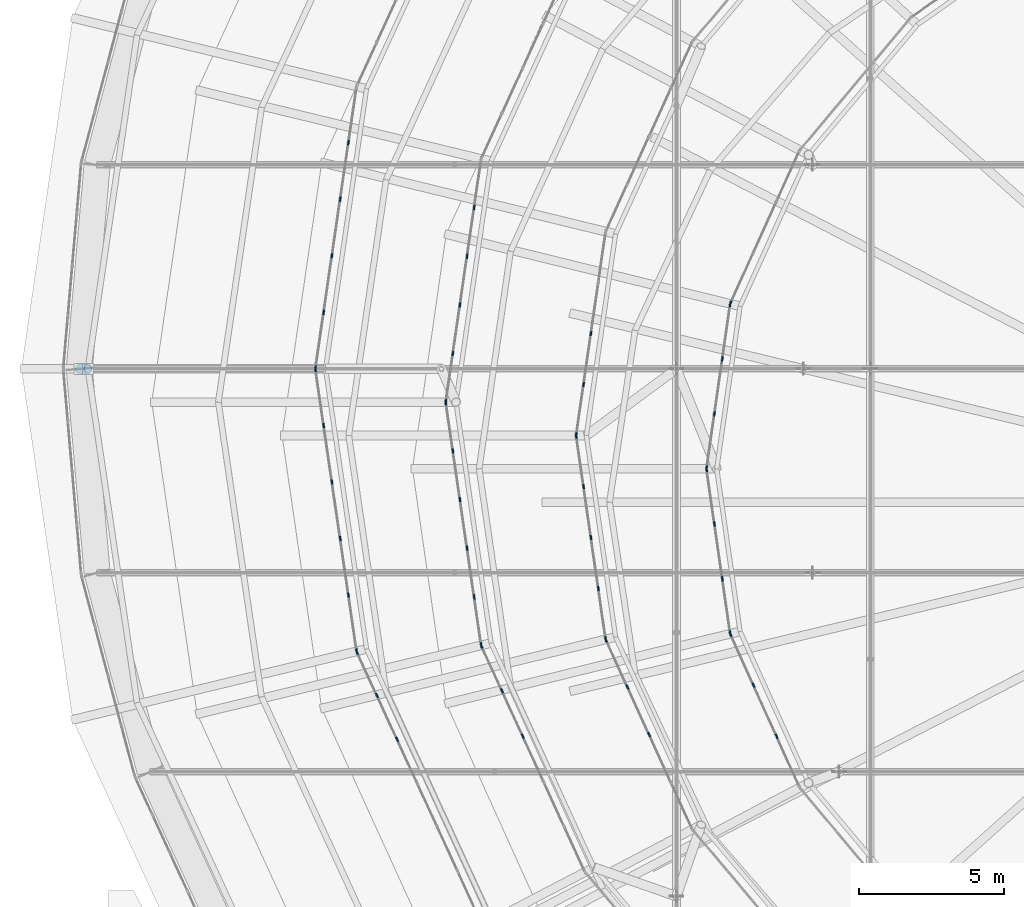
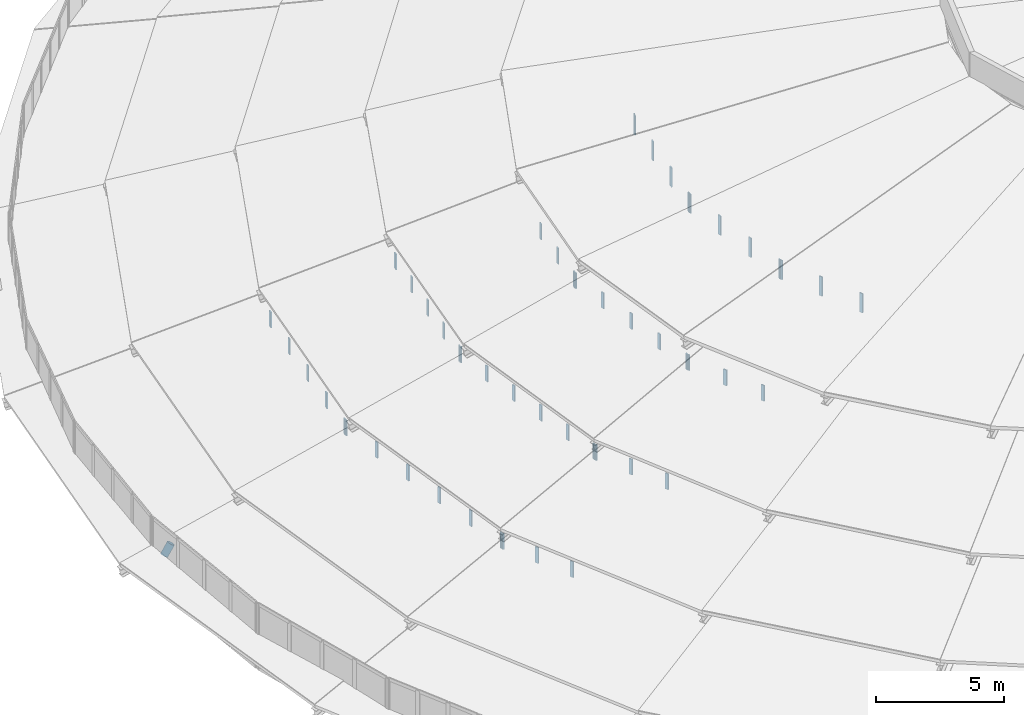
# One storey, part 129 of 173: 52 members, 13 elements without a shape of their own.
"""IFC4 building model written with IfcOpenShell, lengths in metres."""

import ifcopenshell
import ifcopenshell.guid

model = None  # the IFC model being written
_history = None  # IfcOwnerHistory: only IFC2X3 demands one
_inside = {}  # id of a spatial element -> (the spatial element, [elements in it])
_under = {}  # id of a project, library or spatial element -> (it, [spatial elements below it])
_declared = {}  # id of a project -> (the project, [libraries it declares])
_typed = {}  # id of a type object -> (the type object, [elements of that type])
_made_of = {}  # id of a material, layer set ... -> (it, [elements and type objects made of it])


def new_model(schema):
    """Start an empty IFC model of exactly this schema.

    Asked for "IFC4X3", IfcOpenShell would pick the latest addendum, in which some entities
    have other attributes; the version numbers below select the first issue.
    IFC2X3 requires an IfcOwnerHistory on every rooted entity: one is made here for all.
    """
    global model, _history
    if schema == "IFC4X3":
        model = ifcopenshell.file(schema_version=(4, 3, 0, 0))
    else:
        model = ifcopenshell.file(schema=schema)
    _inside.clear()
    _under.clear()
    _declared.clear()
    _typed.clear()
    _made_of.clear()
    _history = None
    if model.schema == "IFC2X3":
        org = make("IfcOrganization", Name="unknown")
        user = make(
            "IfcPersonAndOrganization",
            ThePerson=make("IfcPerson", FamilyName="unknown"),
            TheOrganization=org,
        )
        app = make(
            "IfcApplication",
            ApplicationDeveloper=org,
            Version="unknown",
            ApplicationFullName="unknown",
            ApplicationIdentifier="unknown",
        )
        _history = make(
            "IfcOwnerHistory",
            OwningUser=user,
            OwningApplication=app,
            ChangeAction="ADDED",
            CreationDate=0,
        )
    return model


def make(cls, **values):
    """One entity of the class cls with the attributes given. An attribute that is None is left unset."""
    return model.create_entity(
        cls, **{name: value for name, value in values.items() if value is not None}
    )


def rooted(cls, **values):
    """An entity with a GlobalId (a new one), such as an element, a storey or a relation."""
    return make(cls, GlobalId=ifcopenshell.guid.new(), OwnerHistory=_history, **values)


def si_unit(unit_type, name, prefix=None):
    """IfcSIUnit, for example si_unit("LENGTHUNIT", "METRE", prefix="MILLI")."""
    return make("IfcSIUnit", UnitType=unit_type, Prefix=prefix, Name=name)


def assignment(units):
    """IfcUnitAssignment: the units of a project."""
    return None if units is None else make("IfcUnitAssignment", Units=units)


def point(xyz):
    """IfcCartesianPoint."""
    return None if xyz is None else make("IfcCartesianPoint", Coordinates=xyz)


def direction(xyz):
    """IfcDirection."""
    return None if xyz is None else make("IfcDirection", DirectionRatios=xyz)


def frame(location, z_axis=None, x_axis=None):
    """IfcAxis2Placement3D, a coordinate frame: its origin and axes. An axis left out is left unset."""
    return make(
        "IfcAxis2Placement3D",
        Location=point(location),
        Axis=direction(z_axis),
        RefDirection=direction(x_axis),
    )


def frame_2d(location, x_axis=None):
    """IfcAxis2Placement2D, a coordinate frame in the plane: its origin and x axis."""
    return make(
        "IfcAxis2Placement2D", Location=point(location), RefDirection=direction(x_axis)
    )


def origin():
    """The frame at (0, 0, 0) with its axes left unset."""
    return frame((0.0, 0.0, 0.0))


def origin_2d():
    """The frame at (0, 0) in the plane with its x axis left unset."""
    return frame_2d((0.0, 0.0))


def place(relative_to, where):
    """IfcLocalPlacement: puts the frame where relative to a parent placement (None: the world)."""
    return make(
        "IfcLocalPlacement", PlacementRelTo=relative_to, RelativePlacement=where
    )


def context(
    kind, dimensions, precision=None, world=None, true_north=None, identifier=None
):
    """IfcGeometricRepresentationContext, for example the 3D "Model" context."""
    return make(
        "IfcGeometricRepresentationContext",
        ContextIdentifier=identifier,
        ContextType=kind,
        CoordinateSpaceDimension=dimensions,
        Precision=precision,
        WorldCoordinateSystem=world,
        TrueNorth=true_north,
    )


def subcontext(parent, identifier, kind, view, scale=None):
    """IfcGeometricRepresentationSubContext, for example "Body" below "Model"."""
    return make(
        "IfcGeometricRepresentationSubContext",
        ContextIdentifier=identifier,
        ContextType=kind,
        ParentContext=parent,
        TargetScale=scale,
        TargetView=view,
    )


def project(units=None, contexts=None):
    """IfcProject with its units and contexts."""
    return rooted(
        "IfcProject",
        Name="project",
        RepresentationContexts=contexts,
        UnitsInContext=assignment(units),
    )


def spatial(cls, under=None, at=None, **own):
    """A site, building, storey or space (cls), placed at a placement, below another one or the project."""
    s = rooted(cls, ObjectPlacement=at, **own)
    if under is not None:
        _under.setdefault(under.id(), (under, []))[1].append(s)
    return s


def profile(cls, at=None, kind="AREA", **sizes):
    """A parametric profile (cls). Its sizes go by their IFC names, for example OverallWidth=200.0."""
    return make(cls, ProfileType=kind, Position=at, **sizes)


def rectangle(**sizes):
    """IfcRectangleProfileDef."""
    return profile("IfcRectangleProfileDef", **sizes)


def hollow_circle(**sizes):
    """IfcCircleHollowProfileDef."""
    return profile("IfcCircleHollowProfileDef", **sizes)


def extrude(swept, where, along, depth):
    """IfcExtrudedAreaSolid: the profile swept, set in the frame where, extruded along a direction by depth."""
    return make(
        "IfcExtrudedAreaSolid",
        SweptArea=swept,
        Position=where,
        ExtrudedDirection=direction(along),
        Depth=depth,
    )


def shape(context_of_items, identifier, shape_type, items):
    """IfcShapeRepresentation: the items that make up one representation, for example the "Body"."""
    return make(
        "IfcShapeRepresentation",
        ContextOfItems=context_of_items,
        RepresentationIdentifier=identifier,
        RepresentationType=shape_type,
        Items=items,
    )


def material(Name=None, Category=None):
    """IfcMaterial."""
    return make("IfcMaterial", Name=Name, Category=Category)


def material_profile(
    of_material, cross_section, Name=None, Category=None, Priority=None
):
    """IfcMaterialProfile: a cross section and its material."""
    return make(
        "IfcMaterialProfile",
        Name=Name,
        Material=of_material,
        Profile=cross_section,
        Priority=Priority,
        Category=Category,
    )


def profile_set(profiles, Name=None, composite=None):
    """IfcMaterialProfileSet."""
    return make(
        "IfcMaterialProfileSet",
        Name=Name,
        MaterialProfiles=profiles,
        CompositeProfile=composite,
    )


def made_of(thing, what):
    """Note that an element or type object is made of a material, layer set ...; save() writes the relation."""
    if what is not None:
        _made_of.setdefault(what.id(), (what, []))[1].append(thing)
    return thing


def type_object(cls, material=None, **own):
    """A type object (cls), such as IfcWallType, which elements share."""
    return made_of(rooted(cls, **own), material)


def element(
    cls,
    number,
    at=None,
    inside=None,
    cuts=None,
    type_object=None,
    material=None,
    context=None,
    identifier="Body",
    shape_type=None,
    held_by="IfcProductDefinitionShape",
    body=None,
    shapes=None,
    **own,
):
    """One element of the class cls, such as IfcWall. Its Tag is "e" and its number.

    at: its placement. inside: the storey or other place that contains it. cuts: it is an
    opening in that element (IfcRelVoidsElement). A single representation is given by context,
    identifier, shape_type and body (its items); several are given by shapes. held_by: the class
    of the entity that holds the representations. save() writes the other relations.
    """
    e = rooted(cls, Tag="e%d" % number, ObjectPlacement=at, **own)
    if body is not None:
        shapes = [shape(context, identifier, shape_type, body)]
    if shapes is not None:
        e.Representation = make(held_by, Representations=shapes)
    if inside is not None:
        _inside.setdefault(inside.id(), (inside, []))[1].append(e)
    if cuts is not None:
        rooted(
            "IfcRelVoidsElement", RelatingBuildingElement=cuts, RelatedOpeningElement=e
        )
    if type_object is not None:
        _typed.setdefault(type_object.id(), (type_object, []))[1].append(e)
    return made_of(e, material)


def aggregate(whole, parts):
    """IfcRelAggregates: a whole, such as a stair, and the parts it consists of."""
    return rooted("IfcRelAggregates", RelatingObject=whole, RelatedObjects=parts)


def save(model, path):
    """Write the relations noted so far, then the file.

    IfcRelAggregates (storeys below a building ...), IfcRelContainedInSpatialStructure (elements
    in a storey), IfcRelDefinesByType, IfcRelAssociatesMaterial and IfcRelDeclares: one each for
    every whole, place, type object, material and project.
    """
    for whole, parts in _under.values():
        aggregate(whole, parts)
    for where, things in _inside.values():
        rooted(
            "IfcRelContainedInSpatialStructure",
            RelatedElements=things,
            RelatingStructure=where,
        )
    for kind, things in _typed.values():
        rooted("IfcRelDefinesByType", RelatedObjects=things, RelatingType=kind)
    for what, things in _made_of.values():
        rooted("IfcRelAssociatesMaterial", RelatedObjects=things, RelatingMaterial=what)
    for by, libraries in _declared.values():
        rooted("IfcRelDeclares", RelatingContext=by, RelatedDefinitions=libraries)
    model.write(path)


model = new_model("IFC4")

# Units and contexts
model_context = context("Model", 3, precision=1e-05, world=origin(), true_north=direction((0.0, 1.0)))
body_context = subcontext(model_context, "Body", "Model", "MODEL_VIEW")
ifc_project = project(units=[si_unit("LENGTHUNIT", "METRE"), si_unit("AREAUNIT", "SQUARE_METRE"), si_unit("VOLUMEUNIT", "CUBIC_METRE"), si_unit("PLANEANGLEUNIT", "RADIAN"), si_unit("MASSUNIT", "GRAM", prefix="KILO")], contexts=[model_context])

# Site, building, storey
site_placement = place(None, origin())
site = spatial("IfcSite", under=ifc_project, at=site_placement, CompositionType="ELEMENT")
building_placement = place(site_placement, origin())
building = spatial("IfcBuilding", under=site, at=building_placement, Name="Glasvene Arena", CompositionType="ELEMENT")
storey_placement = place(building_placement, frame((0.0, 0.0, 28.800048828125)))
storey = spatial("IfcBuildingStorey", under=building, at=storey_placement, Name="RF", CompositionType="ELEMENT", Elevation=28.800048828125)

# Curtain wall, members
ifc_material_1 = material(Name="Low-emissivity laminated double glazing", Category="glass")
curtain_wall_type_1 = type_object("IfcCurtainWallType", Name="CW-PET1-986x75", PredefinedType="USERDEFINED", material=ifc_material_1)
curtain_wall_1_placement = place(storey_placement, frame((51.575927734375, 82.757568359375, 0.0)))
curtain_wall_1 = element("IfcCurtainWall", 1, at=curtain_wall_1_placement, inside=storey, type_object=curtain_wall_type_1, Name="Petal ring 1-2 clerestory curtain wall 12", ObjectType="CURTAIN WALL", PredefinedType="USERDEFINED")
ifc_material_2 = material(Name="Anodised architectural aluminium", Category="aluminium")
ifc_material_profile_1 = material_profile(ifc_material_2, rectangle(XDim=0.050048828125, YDim=0.159912109375, at=origin_2d()), Name="ALU MULLION 50x160")
ifc_profile_set_1 = profile_set([ifc_material_profile_1], Name="Anodised architectural aluminium")
member_type_1 = type_object("IfcMemberType", Name="CW-MUL-150", PredefinedType="MULLION", material=ifc_profile_set_1)
member_1_placement = place(storey_placement, frame((51.290771484375, 80.805908203125, 2.579833984375), z_axis=(0.0, 0.0, 1.0), x_axis=(0.989489040641, -0.144607878249, 0.0)))
member_1 = element("IfcMember", 2, at=member_1_placement, type_object=member_type_1, Name="CW-081 mullion 2", PredefinedType="MULLION", context=body_context, shape_type="SweptSolid", body=[
    extrude(rectangle(XDim=0.050048828125, YDim=0.159912109375, at=origin_2d()), origin(), (0.0, 0.0, 1.0), 0.75),
])
member_2_placement = place(storey_placement, frame((51.005615234375, 78.8544921875, 2.579833984375), z_axis=(0.0, 0.0, 1.0), x_axis=(0.989489040641, -0.144607878249, 0.0)))
member_2 = element("IfcMember", 3, at=member_2_placement, type_object=member_type_1, Name="CW-081 mullion 3", PredefinedType="MULLION", context=body_context, shape_type="SweptSolid", body=[
    extrude(rectangle(XDim=0.050048828125, YDim=0.159912109375, at=origin_2d()), origin(), (0.0, 0.0, 1.0), 0.75),
])
member_3_placement = place(storey_placement, frame((50.720458984375, 76.903076171875, 2.579833984375), z_axis=(0.0, 0.0, 1.0), x_axis=(0.989489040641, -0.144607878249, 0.0)))
member_3 = element("IfcMember", 4, at=member_3_placement, type_object=member_type_1, Name="CW-081 mullion 4", PredefinedType="MULLION", context=body_context, shape_type="SweptSolid", body=[
    extrude(rectangle(XDim=0.050048828125, YDim=0.159912109375, at=origin_2d()), origin(), (0.0, 0.0, 1.0), 0.75),
])
member_4_placement = place(storey_placement, frame((50.435302734375, 74.951416015625, 2.579833984375), z_axis=(0.0, 0.0, 1.0), x_axis=(0.989489040641, -0.144607878249, 0.0)))
member_4 = element("IfcMember", 5, at=member_4_placement, type_object=member_type_1, Name="CW-081 mullion 5", PredefinedType="MULLION", context=body_context, shape_type="SweptSolid", body=[
    extrude(rectangle(XDim=0.050048828125, YDim=0.159912109375, at=origin_2d()), origin(), (0.0, 0.0, 1.0), 0.75),
])
member_5_placement = place(storey_placement, frame((50.153564453125, 73.024658203125, 2.579833984375), z_axis=(0.0, 0.0, 1.0), x_axis=(0.989489040641, -0.144607878249, 0.0)))
member_5 = element("IfcMember", 6, at=member_5_placement, type_object=member_type_1, Name="CW-081 mullion 6", PredefinedType="MULLION", context=body_context, shape_type="SweptSolid", body=[
    extrude(rectangle(XDim=0.050048828125, YDim=0.159912109375, at=origin_2d()), origin(), (0.0, 0.0, 1.0), 0.75),
])
aggregate(curtain_wall_1, [member_1, member_2, member_3, member_4, member_5])

curtain_wall_2_placement = place(storey_placement, frame((50.14990234375, 73.0, 0.0)))
curtain_wall_2 = element("IfcCurtainWall", 7, at=curtain_wall_2_placement, inside=storey, type_object=curtain_wall_type_1, Name="Petal ring 1-2 clerestory curtain wall 13", ObjectType="CURTAIN WALL", PredefinedType="USERDEFINED")
member_6_placement = place(storey_placement, frame((50.153564453125, 72.975341796875, 2.579833984375), z_axis=(0.0, 0.0, 1.0), x_axis=(0.989489040641, 0.144607878249, 0.0)))
member_6 = element("IfcMember", 8, at=member_6_placement, type_object=member_type_1, Name="CW-081 mullion 1", PredefinedType="MULLION", context=body_context, shape_type="SweptSolid", body=[
    extrude(rectangle(XDim=0.050048828125, YDim=0.159912109375, at=origin_2d()), origin(), (0.0, 0.0, 1.0), 0.75),
])
member_7_placement = place(storey_placement, frame((50.435302734375, 71.048583984375, 2.579833984375), z_axis=(0.0, 0.0, 1.0), x_axis=(0.989489040641, 0.144607878249, 0.0)))
member_7 = element("IfcMember", 9, at=member_7_placement, type_object=member_type_1, Name="CW-081 mullion 2", PredefinedType="MULLION", context=body_context, shape_type="SweptSolid", body=[
    extrude(rectangle(XDim=0.050048828125, YDim=0.159912109375, at=origin_2d()), origin(), (0.0, 0.0, 1.0), 0.75),
])
member_8_placement = place(storey_placement, frame((50.720458984375, 69.096923828125, 2.579833984375), z_axis=(0.0, 0.0, 1.0), x_axis=(0.989489040641, 0.144607878249, 0.0)))
member_8 = element("IfcMember", 10, at=member_8_placement, type_object=member_type_1, Name="CW-081 mullion 3", PredefinedType="MULLION", context=body_context, shape_type="SweptSolid", body=[
    extrude(rectangle(XDim=0.050048828125, YDim=0.159912109375, at=origin_2d()), origin(), (0.0, 0.0, 1.0), 0.75),
])
member_9_placement = place(storey_placement, frame((51.005615234375, 67.1455078125, 2.579833984375), z_axis=(0.0, 0.0, 1.0), x_axis=(0.989489040641, 0.144607878249, 0.0)))
member_9 = element("IfcMember", 11, at=member_9_placement, type_object=member_type_1, Name="CW-081 mullion 4", PredefinedType="MULLION", context=body_context, shape_type="SweptSolid", body=[
    extrude(rectangle(XDim=0.050048828125, YDim=0.159912109375, at=origin_2d()), origin(), (0.0, 0.0, 1.0), 0.75),
])
member_10_placement = place(storey_placement, frame((51.290771484375, 65.194091796875, 2.579833984375), z_axis=(0.0, 0.0, 1.0), x_axis=(0.989489040641, 0.144607878249, 0.0)))
member_10 = element("IfcMember", 12, at=member_10_placement, type_object=member_type_1, Name="CW-081 mullion 5", PredefinedType="MULLION", context=body_context, shape_type="SweptSolid", body=[
    extrude(rectangle(XDim=0.050048828125, YDim=0.159912109375, at=origin_2d()), origin(), (0.0, 0.0, 1.0), 0.75),
])
member_11_placement = place(storey_placement, frame((51.572265625, 63.267333984375, 2.579833984375), z_axis=(0.0, 0.0, 1.0), x_axis=(0.989489040641, 0.144607878249, 0.0)))
member_11 = element("IfcMember", 13, at=member_11_placement, type_object=member_type_1, Name="CW-081 mullion 6", PredefinedType="MULLION", context=body_context, shape_type="SweptSolid", body=[
    extrude(rectangle(XDim=0.050048828125, YDim=0.159912109375, at=origin_2d()), origin(), (0.0, 0.0, 1.0), 0.75),
])
aggregate(curtain_wall_2, [member_6, member_7, member_8, member_9, member_10, member_11])

curtain_wall_type_2 = type_object("IfcCurtainWallType", Name="CW-PET1-1001x75", PredefinedType="USERDEFINED", material=ifc_material_1)
curtain_wall_3_placement = place(storey_placement, frame((51.575927734375, 63.242431640625, 0.0)))
curtain_wall_3 = element("IfcCurtainWall", 14, at=curtain_wall_3_placement, inside=storey, type_object=curtain_wall_type_2, Name="Petal ring 1-2 clerestory curtain wall 14", ObjectType="CURTAIN WALL", PredefinedType="USERDEFINED")
member_12_placement = place(storey_placement, frame((51.58642578125, 63.2197265625, 2.579833984375), z_axis=(0.0, 0.0, 1.0), x_axis=(0.908556831634, 0.41776127596, 0.0)))
member_12 = element("IfcMember", 15, at=member_12_placement, type_object=member_type_1, Name="CW-082 mullion 1", PredefinedType="MULLION", context=body_context, shape_type="SweptSolid", body=[
    extrude(rectangle(XDim=0.050048828125, YDim=0.159912109375, at=origin_2d()), origin(), (0.0, 0.0, 1.0), 0.75),
])
member_13_placement = place(storey_placement, frame((52.272705078125, 61.72705078125, 2.579833984375), z_axis=(0.0, 0.0, 1.0), x_axis=(0.908556831634, 0.41776127596, 0.0)))
member_13 = element("IfcMember", 16, at=member_13_placement, type_object=member_type_1, Name="CW-082 mullion 2", PredefinedType="MULLION", context=body_context, shape_type="SweptSolid", body=[
    extrude(rectangle(XDim=0.050048828125, YDim=0.159912109375, at=origin_2d()), origin(), (0.0, 0.0, 1.0), 0.75),
])
member_14_placement = place(storey_placement, frame((52.969482421875, 60.211669921875, 2.579833984375), z_axis=(0.0, 0.0, 1.0), x_axis=(0.908556831634, 0.41776127596, 0.0)))
member_14 = element("IfcMember", 17, at=member_14_placement, type_object=member_type_1, Name="CW-082 mullion 3", PredefinedType="MULLION", context=body_context, shape_type="SweptSolid", body=[
    extrude(rectangle(XDim=0.050048828125, YDim=0.159912109375, at=origin_2d()), origin(), (0.0, 0.0, 1.0), 0.75),
])
aggregate(curtain_wall_3, [member_12, member_13, member_14])

curtain_wall_type_3 = type_object("IfcCurtainWallType", Name="CW-PET2-849x75", PredefinedType="USERDEFINED", material=ifc_material_1)
curtain_wall_4_placement = place(storey_placement, frame((55.873291015625, 80.248779296875, 0.0)))
curtain_wall_4 = element("IfcCurtainWall", 18, at=curtain_wall_4_placement, inside=storey, type_object=curtain_wall_type_3, Name="Petal ring 2-3 clerestory curtain wall 12", ObjectType="CURTAIN WALL", PredefinedType="USERDEFINED")
member_15_placement = place(storey_placement, frame((55.628662109375, 78.56884765625, 5.179931640625), z_axis=(0.0, 0.0, 1.0), x_axis=(0.98955837799, -0.144132635268, 0.0)))
member_15 = element("IfcMember", 19, at=member_15_placement, type_object=member_type_1, Name="CW-087 mullion 2", PredefinedType="MULLION", context=body_context, shape_type="SweptSolid", body=[
    extrude(rectangle(XDim=0.050048828125, YDim=0.159912109375, at=origin_2d()), origin(), (0.0, 0.0, 1.0), 0.75),
])
member_16_placement = place(storey_placement, frame((55.384033203125, 76.88916015625, 5.179931640625), z_axis=(0.0, 0.0, 1.0), x_axis=(0.98955837799, -0.144132635268, 0.0)))
member_16 = element("IfcMember", 20, at=member_16_placement, type_object=member_type_1, Name="CW-087 mullion 3", PredefinedType="MULLION", context=body_context, shape_type="SweptSolid", body=[
    extrude(rectangle(XDim=0.050048828125, YDim=0.159912109375, at=origin_2d()), origin(), (0.0, 0.0, 1.0), 0.75),
])
member_17_placement = place(storey_placement, frame((55.139404296875, 75.20947265625, 5.179931640625), z_axis=(0.0, 0.0, 1.0), x_axis=(0.98955837799, -0.144132635268, 0.0)))
member_17 = element("IfcMember", 21, at=member_17_placement, type_object=member_type_1, Name="CW-087 mullion 4", PredefinedType="MULLION", context=body_context, shape_type="SweptSolid", body=[
    extrude(rectangle(XDim=0.050048828125, YDim=0.159912109375, at=origin_2d()), origin(), (0.0, 0.0, 1.0), 0.75),
])
member_18_placement = place(storey_placement, frame((54.894775390625, 73.52978515625, 5.179931640625), z_axis=(0.0, 0.0, 1.0), x_axis=(0.98955837799, -0.144132635268, 0.0)))
member_18 = element("IfcMember", 22, at=member_18_placement, type_object=member_type_1, Name="CW-087 mullion 5", PredefinedType="MULLION", context=body_context, shape_type="SweptSolid", body=[
    extrude(rectangle(XDim=0.050048828125, YDim=0.159912109375, at=origin_2d()), origin(), (0.0, 0.0, 1.0), 0.75),
])
member_19_placement = place(storey_placement, frame((54.653564453125, 71.874755859375, 5.179931640625), z_axis=(0.0, 0.0, 1.0), x_axis=(0.98955837799, -0.144132635268, 0.0)))
member_19 = element("IfcMember", 23, at=member_19_placement, type_object=member_type_1, Name="CW-087 mullion 6", PredefinedType="MULLION", context=body_context, shape_type="SweptSolid", body=[
    extrude(rectangle(XDim=0.050048828125, YDim=0.159912109375, at=origin_2d()), origin(), (0.0, 0.0, 1.0), 0.75),
])
aggregate(curtain_wall_4, [member_15, member_16, member_17, member_18, member_19])

curtain_wall_5_placement = place(storey_placement, frame((54.64990234375, 71.85009765625, 0.0)))
curtain_wall_5 = element("IfcCurtainWall", 24, at=curtain_wall_5_placement, inside=storey, type_object=curtain_wall_type_3, Name="Petal ring 2-3 clerestory curtain wall 13", ObjectType="CURTAIN WALL", PredefinedType="USERDEFINED")
member_20_placement = place(storey_placement, frame((54.653564453125, 71.8251953125, 5.179931640625), z_axis=(0.0, 0.0, 1.0), x_axis=(0.98955837799, 0.144132635268, 0.0)))
member_20 = element("IfcMember", 25, at=member_20_placement, type_object=member_type_1, Name="CW-087 mullion 1", PredefinedType="MULLION", context=body_context, shape_type="SweptSolid", body=[
    extrude(rectangle(XDim=0.050048828125, YDim=0.159912109375, at=origin_2d()), origin(), (0.0, 0.0, 1.0), 0.75),
])
member_21_placement = place(storey_placement, frame((54.894775390625, 70.170166015625, 5.179931640625), z_axis=(0.0, 0.0, 1.0), x_axis=(0.98955837799, 0.144132635268, 0.0)))
member_21 = element("IfcMember", 26, at=member_21_placement, type_object=member_type_1, Name="CW-087 mullion 2", PredefinedType="MULLION", context=body_context, shape_type="SweptSolid", body=[
    extrude(rectangle(XDim=0.050048828125, YDim=0.159912109375, at=origin_2d()), origin(), (0.0, 0.0, 1.0), 0.75),
])
member_22_placement = place(storey_placement, frame((55.139404296875, 68.490478515625, 5.179931640625), z_axis=(0.0, 0.0, 1.0), x_axis=(0.98955837799, 0.144132635268, 0.0)))
member_22 = element("IfcMember", 27, at=member_22_placement, type_object=member_type_1, Name="CW-087 mullion 3", PredefinedType="MULLION", context=body_context, shape_type="SweptSolid", body=[
    extrude(rectangle(XDim=0.050048828125, YDim=0.159912109375, at=origin_2d()), origin(), (0.0, 0.0, 1.0), 0.75),
])
member_23_placement = place(storey_placement, frame((55.384033203125, 66.810791015625, 5.179931640625), z_axis=(0.0, 0.0, 1.0), x_axis=(0.98955837799, 0.144132635268, 0.0)))
member_23 = element("IfcMember", 28, at=member_23_placement, type_object=member_type_1, Name="CW-087 mullion 4", PredefinedType="MULLION", context=body_context, shape_type="SweptSolid", body=[
    extrude(rectangle(XDim=0.050048828125, YDim=0.159912109375, at=origin_2d()), origin(), (0.0, 0.0, 1.0), 0.75),
])
member_24_placement = place(storey_placement, frame((55.628662109375, 65.131103515625, 5.179931640625), z_axis=(0.0, 0.0, 1.0), x_axis=(0.98955837799, 0.144132635268, 0.0)))
member_24 = element("IfcMember", 29, at=member_24_placement, type_object=member_type_1, Name="CW-087 mullion 5", PredefinedType="MULLION", context=body_context, shape_type="SweptSolid", body=[
    extrude(rectangle(XDim=0.050048828125, YDim=0.159912109375, at=origin_2d()), origin(), (0.0, 0.0, 1.0), 0.75),
])
member_25_placement = place(storey_placement, frame((55.86962890625, 63.47607421875, 5.179931640625), z_axis=(0.0, 0.0, 1.0), x_axis=(0.98955837799, 0.144132635268, 0.0)))
member_25 = element("IfcMember", 30, at=member_25_placement, type_object=member_type_1, Name="CW-087 mullion 6", PredefinedType="MULLION", context=body_context, shape_type="SweptSolid", body=[
    extrude(rectangle(XDim=0.050048828125, YDim=0.159912109375, at=origin_2d()), origin(), (0.0, 0.0, 1.0), 0.75),
])
aggregate(curtain_wall_5, [member_20, member_21, member_22, member_23, member_24, member_25])

curtain_wall_type_4 = type_object("IfcCurtainWallType", Name="CW-PET2-861x75", PredefinedType="USERDEFINED", material=ifc_material_1)
curtain_wall_6_placement = place(storey_placement, frame((55.873291015625, 63.451416015625, 0.0)))
curtain_wall_6 = element("IfcCurtainWall", 31, at=curtain_wall_6_placement, inside=storey, type_object=curtain_wall_type_4, Name="Petal ring 2-3 clerestory curtain wall 14", ObjectType="CURTAIN WALL", PredefinedType="USERDEFINED")
member_26_placement = place(storey_placement, frame((55.8837890625, 63.428466796875, 5.179931640625), z_axis=(0.0, 0.0, 1.0), x_axis=(0.909093602111, 0.416591913749, 0.0)))
member_26 = element("IfcMember", 32, at=member_26_placement, type_object=member_type_1, Name="CW-088 mullion 1", PredefinedType="MULLION", context=body_context, shape_type="SweptSolid", body=[
    extrude(rectangle(XDim=0.050048828125, YDim=0.159912109375, at=origin_2d()), origin(), (0.0, 0.0, 1.0), 0.75),
])
member_27_placement = place(storey_placement, frame((56.590576171875, 61.885986328125, 5.179931640625), z_axis=(0.0, 0.0, 1.0), x_axis=(0.909093602111, 0.416591913749, 0.0)))
member_27 = element("IfcMember", 33, at=member_27_placement, type_object=member_type_1, Name="CW-088 mullion 2", PredefinedType="MULLION", context=body_context, shape_type="SweptSolid", body=[
    extrude(rectangle(XDim=0.050048828125, YDim=0.159912109375, at=origin_2d()), origin(), (0.0, 0.0, 1.0), 0.75),
])
member_28_placement = place(storey_placement, frame((57.307861328125, 60.32080078125, 5.179931640625), z_axis=(0.0, 0.0, 1.0), x_axis=(0.909093602111, 0.416591913749, 0.0)))
member_28 = element("IfcMember", 34, at=member_28_placement, type_object=member_type_1, Name="CW-088 mullion 3", PredefinedType="MULLION", context=body_context, shape_type="SweptSolid", body=[
    extrude(rectangle(XDim=0.050048828125, YDim=0.159912109375, at=origin_2d()), origin(), (0.0, 0.0, 1.0), 0.75),
])
aggregate(curtain_wall_6, [member_26, member_27, member_28])

curtain_wall_type_5 = type_object("IfcCurtainWallType", Name="CW-PET3-711x75", PredefinedType="USERDEFINED", material=ifc_material_1)
curtain_wall_7_placement = place(storey_placement, frame((60.17041015625, 77.739990234375, 0.0)))
curtain_wall_7 = element("IfcCurtainWall", 35, at=curtain_wall_7_placement, inside=storey, type_object=curtain_wall_type_5, Name="Petal ring 3-4 clerestory curtain wall 12", ObjectType="CURTAIN WALL", PredefinedType="USERDEFINED")
member_29_placement = place(storey_placement, frame((59.66015625, 74.219970703125, 7.829833984375), z_axis=(0.0, 0.0, 1.0), x_axis=(0.989656115979, -0.143460001758, 0.0)))
member_29 = element("IfcMember", 36, at=member_29_placement, type_object=member_type_1, Name="CW-093 mullion 3", PredefinedType="MULLION", context=body_context, shape_type="SweptSolid", body=[
    extrude(rectangle(XDim=0.050048828125, YDim=0.159912109375, at=origin_2d()), origin(), (0.0, 0.0, 1.0), 0.75),
])
member_30_placement = place(storey_placement, frame((59.405029296875, 72.4599609375, 7.829833984375), z_axis=(0.0, 0.0, 1.0), x_axis=(0.989656115979, -0.143460001758, 0.0)))
member_30 = element("IfcMember", 37, at=member_30_placement, type_object=member_type_1, Name="CW-093 mullion 4", PredefinedType="MULLION", context=body_context, shape_type="SweptSolid", body=[
    extrude(rectangle(XDim=0.050048828125, YDim=0.159912109375, at=origin_2d()), origin(), (0.0, 0.0, 1.0), 0.75),
])
member_31_placement = place(storey_placement, frame((59.153564453125, 70.724853515625, 7.829833984375), z_axis=(0.0, 0.0, 1.0), x_axis=(0.989656115979, -0.143460001758, 0.0)))
member_31 = element("IfcMember", 38, at=member_31_placement, type_object=member_type_1, Name="CW-093 mullion 5", PredefinedType="MULLION", context=body_context, shape_type="SweptSolid", body=[
    extrude(rectangle(XDim=0.050048828125, YDim=0.159912109375, at=origin_2d()), origin(), (0.0, 0.0, 1.0), 0.75),
])
aggregate(curtain_wall_7, [member_29, member_30, member_31])

curtain_wall_8_placement = place(storey_placement, frame((59.14990234375, 70.699951171875, 0.0)))
curtain_wall_8 = element("IfcCurtainWall", 39, at=curtain_wall_8_placement, inside=storey, type_object=curtain_wall_type_5, Name="Petal ring 3-4 clerestory curtain wall 13", ObjectType="CURTAIN WALL", PredefinedType="USERDEFINED")
member_32_placement = place(storey_placement, frame((59.153564453125, 70.67529296875, 7.829833984375), z_axis=(0.0, 0.0, 1.0), x_axis=(0.989656115979, 0.143460001758, 0.0)))
member_32 = element("IfcMember", 40, at=member_32_placement, type_object=member_type_1, Name="CW-093 mullion 1", PredefinedType="MULLION", context=body_context, shape_type="SweptSolid", body=[
    extrude(rectangle(XDim=0.050048828125, YDim=0.159912109375, at=origin_2d()), origin(), (0.0, 0.0, 1.0), 0.75),
])
member_33_placement = place(storey_placement, frame((59.405029296875, 68.93994140625, 7.829833984375), z_axis=(0.0, 0.0, 1.0), x_axis=(0.989656115979, 0.143460001758, 0.0)))
member_33 = element("IfcMember", 41, at=member_33_placement, type_object=member_type_1, Name="CW-093 mullion 2", PredefinedType="MULLION", context=body_context, shape_type="SweptSolid", body=[
    extrude(rectangle(XDim=0.050048828125, YDim=0.159912109375, at=origin_2d()), origin(), (0.0, 0.0, 1.0), 0.75),
])
member_34_placement = place(storey_placement, frame((59.66015625, 67.179931640625, 7.829833984375), z_axis=(0.0, 0.0, 1.0), x_axis=(0.989656115979, 0.143460001758, 0.0)))
member_34 = element("IfcMember", 42, at=member_34_placement, type_object=member_type_1, Name="CW-093 mullion 3", PredefinedType="MULLION", context=body_context, shape_type="SweptSolid", body=[
    extrude(rectangle(XDim=0.050048828125, YDim=0.159912109375, at=origin_2d()), origin(), (0.0, 0.0, 1.0), 0.75),
])
member_35_placement = place(storey_placement, frame((59.915283203125, 65.420166015625, 7.829833984375), z_axis=(0.0, 0.0, 1.0), x_axis=(0.989656115979, 0.143460001758, 0.0)))
member_35 = element("IfcMember", 43, at=member_35_placement, type_object=member_type_1, Name="CW-093 mullion 4", PredefinedType="MULLION", context=body_context, shape_type="SweptSolid", body=[
    extrude(rectangle(XDim=0.050048828125, YDim=0.159912109375, at=origin_2d()), origin(), (0.0, 0.0, 1.0), 0.75),
])
member_36_placement = place(storey_placement, frame((60.1669921875, 63.684814453125, 7.829833984375), z_axis=(0.0, 0.0, 1.0), x_axis=(0.989656115979, 0.143460001758, 0.0)))
member_36 = element("IfcMember", 44, at=member_36_placement, type_object=member_type_1, Name="CW-093 mullion 5", PredefinedType="MULLION", context=body_context, shape_type="SweptSolid", body=[
    extrude(rectangle(XDim=0.050048828125, YDim=0.159912109375, at=origin_2d()), origin(), (0.0, 0.0, 1.0), 0.75),
])
aggregate(curtain_wall_8, [member_32, member_33, member_34, member_35, member_36])

curtain_wall_type_6 = type_object("IfcCurtainWallType", Name="CW-PET3-721x75", PredefinedType="USERDEFINED", material=ifc_material_1)
curtain_wall_9_placement = place(storey_placement, frame((60.17041015625, 63.66015625, 0.0)))
curtain_wall_9 = element("IfcCurtainWall", 45, at=curtain_wall_9_placement, inside=storey, type_object=curtain_wall_type_6, Name="Petal ring 3-4 clerestory curtain wall 14", ObjectType="CURTAIN WALL", PredefinedType="USERDEFINED")
member_37_placement = place(storey_placement, frame((60.180908203125, 63.637451171875, 7.829833984375), z_axis=(0.0, 0.0, 1.0), x_axis=(0.909836135842, 0.414967716717, 0.0)))
member_37 = element("IfcMember", 46, at=member_37_placement, type_object=member_type_1, Name="CW-094 mullion 1", PredefinedType="MULLION", context=body_context, shape_type="SweptSolid", body=[
    extrude(rectangle(XDim=0.050048828125, YDim=0.159912109375, at=origin_2d()), origin(), (0.0, 0.0, 1.0), 0.75),
])
member_38_placement = place(storey_placement, frame((60.91845703125, 62.02001953125, 7.829833984375), z_axis=(0.0, 0.0, 1.0), x_axis=(0.909836135842, 0.414967716717, 0.0)))
member_38 = element("IfcMember", 47, at=member_38_placement, type_object=member_type_1, Name="CW-094 mullion 2", PredefinedType="MULLION", context=body_context, shape_type="SweptSolid", body=[
    extrude(rectangle(XDim=0.050048828125, YDim=0.159912109375, at=origin_2d()), origin(), (0.0, 0.0, 1.0), 0.75),
])
member_39_placement = place(storey_placement, frame((61.66650390625, 60.380126953125, 7.829833984375), z_axis=(0.0, 0.0, 1.0), x_axis=(0.909836135842, 0.414967716717, 0.0)))
member_39 = element("IfcMember", 48, at=member_39_placement, type_object=member_type_1, Name="CW-094 mullion 3", PredefinedType="MULLION", context=body_context, shape_type="SweptSolid", body=[
    extrude(rectangle(XDim=0.050048828125, YDim=0.159912109375, at=origin_2d()), origin(), (0.0, 0.0, 1.0), 0.75),
])
aggregate(curtain_wall_9, [member_37, member_38, member_39])

# Curtain wall, member
curtain_wall_type_7 = type_object("IfcCurtainWallType", Name="CW-PET4-582x92", PredefinedType="USERDEFINED", material=ifc_material_1)
curtain_wall_10_placement = place(storey_placement, frame((66.865478515625, 80.550048828125, 0.0)))
curtain_wall_10 = element("IfcCurtainWall", 49, at=curtain_wall_10_placement, inside=storey, type_object=curtain_wall_type_7, Name="Petal ring 4-5 clerestory curtain wall 11", ObjectType="CURTAIN WALL", PredefinedType="USERDEFINED")
member_40_placement = place(storey_placement, frame((64.47802734375, 75.266845703125, 10.530029296875), z_axis=(0.0, 0.0, 1.0), x_axis=(0.911284127649, -0.411778142566, 0.0)))
member_40 = element("IfcMember", 50, at=member_40_placement, type_object=member_type_1, Name="CW-100 mullion 4", PredefinedType="MULLION", context=body_context, shape_type="SweptSolid", body=[
    extrude(rectangle(XDim=0.050048828125, YDim=0.159912109375, at=origin_2d()), origin(), (0.0, 0.0, 1.0), 0.916015625),
])
aggregate(curtain_wall_10, [member_40])

# Curtain wall, members
curtain_wall_type_8 = type_object("IfcCurtainWallType", Name="CW-PET4-575x92", PredefinedType="USERDEFINED", material=ifc_material_1)
curtain_wall_11_placement = place(storey_placement, frame((64.4677734375, 75.243896484375, 0.0)))
curtain_wall_11 = element("IfcCurtainWall", 51, at=curtain_wall_11_placement, inside=storey, type_object=curtain_wall_type_8, Name="Petal ring 4-5 clerestory curtain wall 12", ObjectType="CURTAIN WALL", PredefinedType="USERDEFINED")
member_41_placement = place(storey_placement, frame((64.46435546875, 75.21923828125, 10.530029296875), z_axis=(0.0, 0.0, 1.0), x_axis=(0.989842823686, -0.142166045165, 0.0)))
member_41 = element("IfcMember", 52, at=member_41_placement, type_object=member_type_1, Name="CW-099 mullion 1", PredefinedType="MULLION", context=body_context, shape_type="SweptSolid", body=[
    extrude(rectangle(XDim=0.050048828125, YDim=0.159912109375, at=origin_2d()), origin(), (0.0, 0.0, 1.0), 0.916015625),
])
member_42_placement = place(storey_placement, frame((64.1953125, 73.345947265625, 10.530029296875), z_axis=(0.0, 0.0, 1.0), x_axis=(0.989842823686, -0.142166045165, 0.0)))
member_42 = element("IfcMember", 53, at=member_42_placement, type_object=member_type_1, Name="CW-099 mullion 2", PredefinedType="MULLION", context=body_context, shape_type="SweptSolid", body=[
    extrude(rectangle(XDim=0.050048828125, YDim=0.159912109375, at=origin_2d()), origin(), (0.0, 0.0, 1.0), 0.916015625),
])
member_43_placement = place(storey_placement, frame((63.922607421875, 71.447998046875, 10.530029296875), z_axis=(0.0, 0.0, 1.0), x_axis=(0.989842823686, -0.142166045165, 0.0)))
member_43 = element("IfcMember", 54, at=member_43_placement, type_object=member_type_1, Name="CW-099 mullion 3", PredefinedType="MULLION", context=body_context, shape_type="SweptSolid", body=[
    extrude(rectangle(XDim=0.050048828125, YDim=0.159912109375, at=origin_2d()), origin(), (0.0, 0.0, 1.0), 0.916015625),
])
member_44_placement = place(storey_placement, frame((63.653564453125, 69.57470703125, 10.530029296875), z_axis=(0.0, 0.0, 1.0), x_axis=(0.989842823686, -0.142166045165, 0.0)))
member_44 = element("IfcMember", 55, at=member_44_placement, type_object=member_type_1, Name="CW-099 mullion 4", PredefinedType="MULLION", context=body_context, shape_type="SweptSolid", body=[
    extrude(rectangle(XDim=0.050048828125, YDim=0.159912109375, at=origin_2d()), origin(), (0.0, 0.0, 1.0), 0.916015625),
])
aggregate(curtain_wall_11, [member_41, member_42, member_43, member_44])

curtain_wall_12_placement = place(storey_placement, frame((63.64990234375, 69.550048828125, 0.0)))
curtain_wall_12 = element("IfcCurtainWall", 56, at=curtain_wall_12_placement, inside=storey, type_object=curtain_wall_type_8, Name="Petal ring 4-5 clerestory curtain wall 13", ObjectType="CURTAIN WALL", PredefinedType="USERDEFINED")
member_45_placement = place(storey_placement, frame((63.653564453125, 69.525146484375, 10.530029296875), z_axis=(0.0, 0.0, 1.0), x_axis=(0.989842823686, 0.142166045165, 0.0)))
member_45 = element("IfcMember", 57, at=member_45_placement, type_object=member_type_1, Name="CW-099 mullion 1", PredefinedType="MULLION", context=body_context, shape_type="SweptSolid", body=[
    extrude(rectangle(XDim=0.050048828125, YDim=0.159912109375, at=origin_2d()), origin(), (0.0, 0.0, 1.0), 0.916015625),
])
member_46_placement = place(storey_placement, frame((63.922607421875, 67.652099609375, 10.530029296875), z_axis=(0.0, 0.0, 1.0), x_axis=(0.989842823686, 0.142166045165, 0.0)))
member_46 = element("IfcMember", 58, at=member_46_placement, type_object=member_type_1, Name="CW-099 mullion 2", PredefinedType="MULLION", context=body_context, shape_type="SweptSolid", body=[
    extrude(rectangle(XDim=0.050048828125, YDim=0.159912109375, at=origin_2d()), origin(), (0.0, 0.0, 1.0), 0.916015625),
])
member_47_placement = place(storey_placement, frame((64.1953125, 65.75390625, 10.530029296875), z_axis=(0.0, 0.0, 1.0), x_axis=(0.989842823686, 0.142166045165, 0.0)))
member_47 = element("IfcMember", 59, at=member_47_placement, type_object=member_type_1, Name="CW-099 mullion 3", PredefinedType="MULLION", context=body_context, shape_type="SweptSolid", body=[
    extrude(rectangle(XDim=0.050048828125, YDim=0.159912109375, at=origin_2d()), origin(), (0.0, 0.0, 1.0), 0.916015625),
])
member_48_placement = place(storey_placement, frame((64.46435546875, 63.880859375, 10.530029296875), z_axis=(0.0, 0.0, 1.0), x_axis=(0.989842823686, 0.142166045165, 0.0)))
member_48 = element("IfcMember", 60, at=member_48_placement, type_object=member_type_1, Name="CW-099 mullion 4", PredefinedType="MULLION", context=body_context, shape_type="SweptSolid", body=[
    extrude(rectangle(XDim=0.050048828125, YDim=0.159912109375, at=origin_2d()), origin(), (0.0, 0.0, 1.0), 0.916015625),
])
aggregate(curtain_wall_12, [member_45, member_46, member_47, member_48])

curtain_wall_13_placement = place(storey_placement, frame((64.4677734375, 63.85595703125, 0.0)))
curtain_wall_13 = element("IfcCurtainWall", 61, at=curtain_wall_13_placement, inside=storey, type_object=curtain_wall_type_7, Name="Petal ring 4-5 clerestory curtain wall 14", ObjectType="CURTAIN WALL", PredefinedType="USERDEFINED")
member_49_placement = place(storey_placement, frame((64.47802734375, 63.833251953125, 10.530029296875), z_axis=(0.0, 0.0, 1.0), x_axis=(0.911284127649, 0.411778142566, 0.0)))
member_49 = element("IfcMember", 62, at=member_49_placement, type_object=member_type_1, Name="CW-100 mullion 1", PredefinedType="MULLION", context=body_context, shape_type="SweptSolid", body=[
    extrude(rectangle(XDim=0.050048828125, YDim=0.159912109375, at=origin_2d()), origin(), (0.0, 0.0, 1.0), 0.916015625),
])
member_50_placement = place(storey_placement, frame((65.26708984375, 62.08740234375, 10.530029296875), z_axis=(0.0, 0.0, 1.0), x_axis=(0.911284127649, 0.411778142566, 0.0)))
member_50 = element("IfcMember", 63, at=member_50_placement, type_object=member_type_1, Name="CW-100 mullion 2", PredefinedType="MULLION", context=body_context, shape_type="SweptSolid", body=[
    extrude(rectangle(XDim=0.050048828125, YDim=0.159912109375, at=origin_2d()), origin(), (0.0, 0.0, 1.0), 0.916015625),
])
member_51_placement = place(storey_placement, frame((66.066162109375, 60.318603515625, 10.530029296875), z_axis=(0.0, 0.0, 1.0), x_axis=(0.911284127649, 0.411778142566, 0.0)))
member_51 = element("IfcMember", 64, at=member_51_placement, type_object=member_type_1, Name="CW-100 mullion 3", PredefinedType="MULLION", context=body_context, shape_type="SweptSolid", body=[
    extrude(rectangle(XDim=0.050048828125, YDim=0.159912109375, at=origin_2d()), origin(), (0.0, 0.0, 1.0), 0.916015625),
])
aggregate(curtain_wall_13, [member_49, member_50, member_51])

# Member
ifc_material_3 = material(Name="Steel S355J2", Category="steel")
ifc_material_profile_2 = material_profile(ifc_material_3, hollow_circle(Radius=0.161865234375, WallThickness=0.01611328125, at=origin_2d()), Name="CHS 323.9x16.0")
ifc_profile_set_2 = profile_set([ifc_material_profile_2], Name="Steel S355J2")
member_type_2 = type_object("IfcMemberType", Name="MB-POST-CHS324", PredefinedType="BRACE", material=ifc_profile_set_2)
member_52_placement = place(storey_placement, frame((42.0, 73.0, -0.300048828125), z_axis=(0.540113294281, 0.0, 0.841592317777), x_axis=(0.0, 1.0, 0.0)))
element("IfcMember", 65, at=member_52_placement, inside=storey, type_object=member_type_2, Name="Petal ring 1 outer support post 13", PredefinedType="BRACE", context=body_context, shape_type="SweptSolid", body=[
    extrude(hollow_circle(Radius=0.161865234375, WallThickness=0.01611328125, at=origin_2d()), origin(), (0.0, 0.0, 1.0), 0.555419921875),
])

save(model, "model.ifc")
